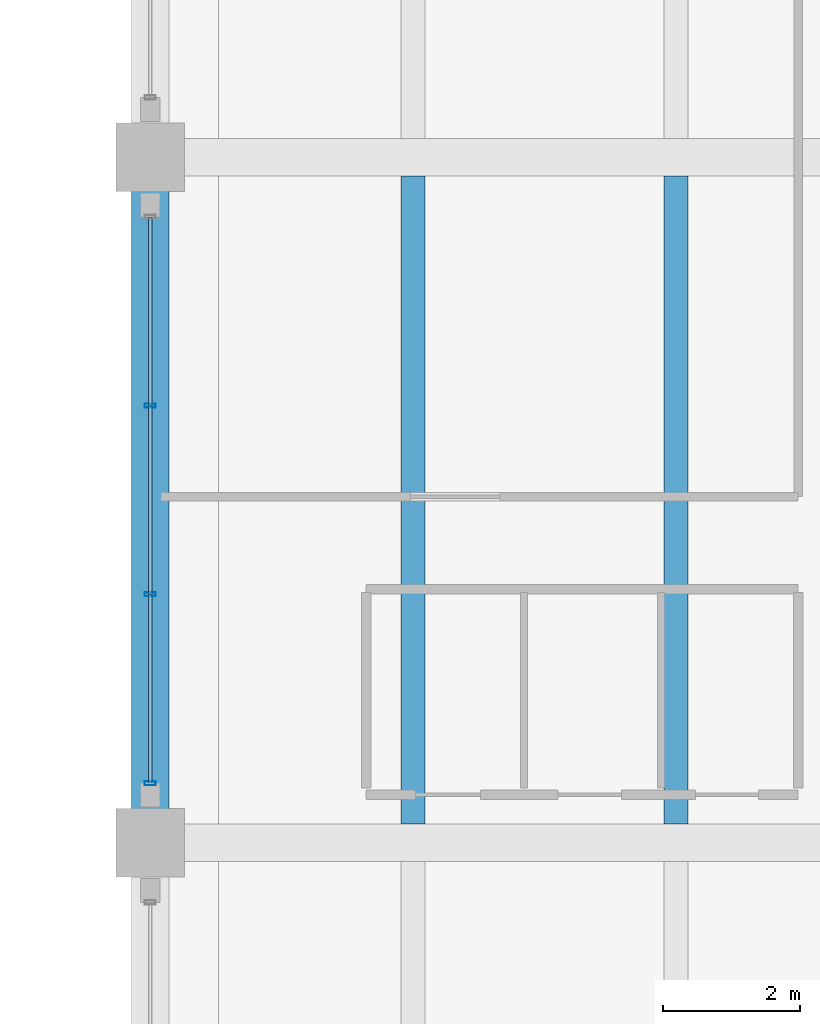
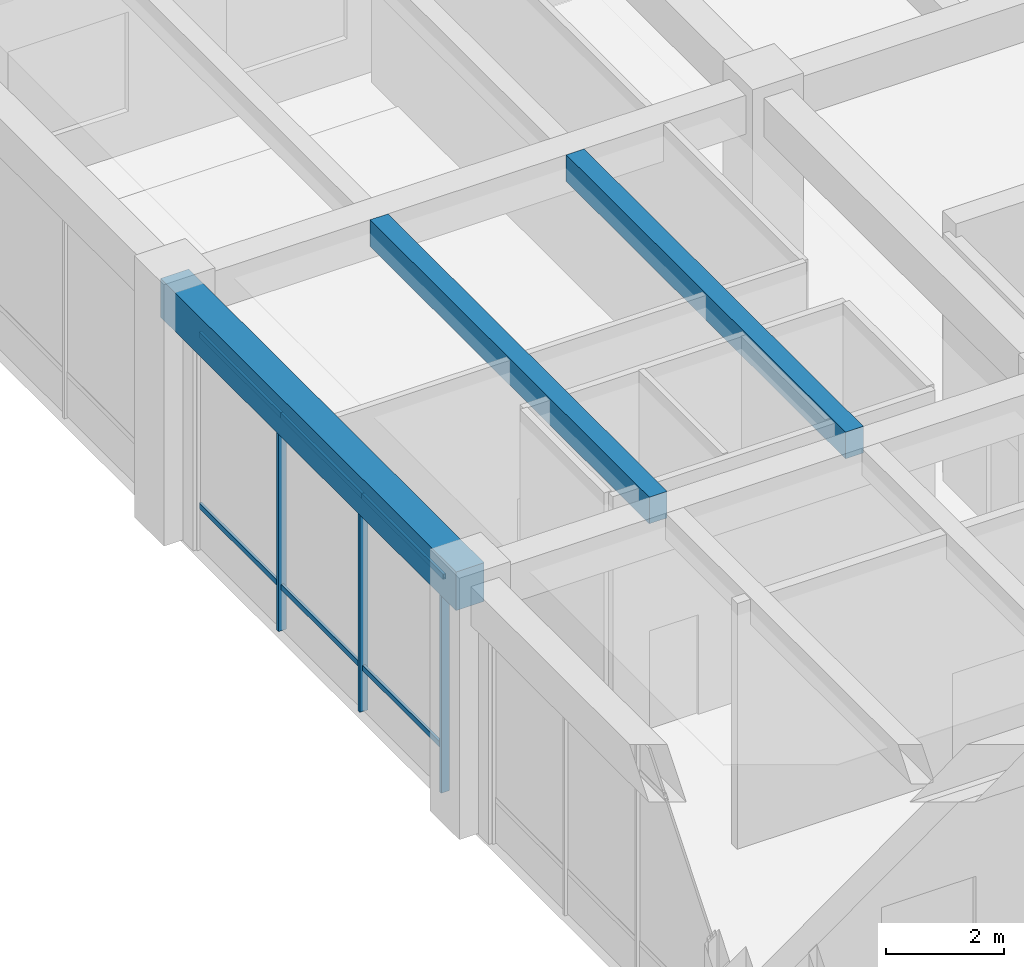
# One storey, part 78 of 148: 9 members, 3 beams, 1 element without a shape of its own.
"""IFC4 building model written with IfcOpenShell, lengths in metres."""

from ifc_helpers import new_model, si_unit, direction, frame, origin, origin_2d, place, context, subcontext, project, spatial, rectangle, hollow_rectangle, extrude, material, material_profile, profile_set, type_object, element, aggregate, save


model = new_model("IFC4")

# Units and contexts
model_context = context("Model", 3, precision=1e-05, world=origin(), true_north=direction((0.0, 1.0)))
body_context = subcontext(model_context, "Body", "Model", "MODEL_VIEW")
ifc_project = project(units=[si_unit("LENGTHUNIT", "METRE"), si_unit("AREAUNIT", "SQUARE_METRE"), si_unit("VOLUMEUNIT", "CUBIC_METRE"), si_unit("PLANEANGLEUNIT", "RADIAN"), si_unit("MASSUNIT", "GRAM", prefix="KILO")], contexts=[model_context])

# Site, building, storey
site_placement = place(None, origin())
site = spatial("IfcSite", under=ifc_project, at=site_placement, CompositionType="ELEMENT")
building_placement = place(site_placement, origin())
building = spatial("IfcBuilding", under=site, at=building_placement, Name="Ologun Quay Terminus", CompositionType="ELEMENT")
storey_placement = place(building_placement, frame((0.0, 0.0, 8.39990234375)))
storey = spatial("IfcBuildingStorey", under=building, at=storey_placement, Name="L02", CompositionType="ELEMENT", Elevation=8.39990234375)

# Curtain wall, members
ifc_material_1 = material(Name="Aluminium 6063-T6", Category="aluminium")
curtain_wall_type = type_object("IfcCurtainWallType", Name="Rain-Garden East Courtyard Curtain Wall L02 9200x5000", PredefinedType="USERDEFINED", material=ifc_material_1)
curtain_wall_placement = place(storey_placement, origin())
curtain_wall = element("IfcCurtainWall", 1, at=curtain_wall_placement, inside=storey, type_object=curtain_wall_type, Name="CW-19 Curtain Wall CW-L02-136", ObjectType="UNITISED CURTAIN WALL", PredefinedType="USERDEFINED")
ifc_material_2 = material(Name="Aluminium 6063-T6", Category="aluminium")
ifc_material_profile_1 = material_profile(ifc_material_2, hollow_rectangle(XDim=0.06005859375, YDim=0.159912109375, WallThickness=0.00390625, at=origin_2d()), Name="ALU 160x60x4")
ifc_profile_set_1 = profile_set([ifc_material_profile_1], Name="Aluminium 6063-T6")
member_type_1 = type_object("IfcMemberType", Name="Courtyard Screen Mullion 160x65", PredefinedType="MULLION", material=ifc_profile_set_1)
member_1_placement = place(storey_placement, frame((115.0, 95.669921875, 0.0), z_axis=(0.0, 0.0, 1.0), x_axis=(0.0, 1.0, 0.0)))
member_1 = element("IfcMember", 2, at=member_1_placement, type_object=member_type_1, Name="CW-L02-136 Mullion 1", PredefinedType="MULLION", context=body_context, shape_type="SweptSolid", body=[
    extrude(hollow_rectangle(XDim=0.06005859375, YDim=0.159912109375, WallThickness=0.00390625, at=origin_2d()), origin(), (0.0, 0.0, 1.0), 5.130126953125),
])
member_2_placement = place(storey_placement, frame((115.0, 98.42333984375, 0.0), z_axis=(0.0, 0.0, 1.0), x_axis=(0.0, 1.0, 0.0)))
member_2 = element("IfcMember", 3, at=member_2_placement, type_object=member_type_1, Name="CW-L02-136 Mullion 2", PredefinedType="MULLION", context=body_context, shape_type="SweptSolid", body=[
    extrude(hollow_rectangle(XDim=0.06005859375, YDim=0.159912109375, WallThickness=0.00390625, at=origin_2d()), origin(), (0.0, 0.0, 1.0), 5.130126953125),
])
member_3_placement = place(storey_placement, frame((115.0, 101.1767578125, 0.0), z_axis=(0.0, 0.0, 1.0), x_axis=(0.0, 1.0, 0.0)))
member_3 = element("IfcMember", 4, at=member_3_placement, type_object=member_type_1, Name="CW-L02-136 Mullion 3", PredefinedType="MULLION", context=body_context, shape_type="SweptSolid", body=[
    extrude(hollow_rectangle(XDim=0.06005859375, YDim=0.159912109375, WallThickness=0.00390625, at=origin_2d()), origin(), (0.0, 0.0, 1.0), 5.130126953125),
])
ifc_material_3 = material(Name="Aluminium 6063-T6", Category="aluminium")
ifc_material_profile_2 = material_profile(ifc_material_3, hollow_rectangle(XDim=0.054931640625, YDim=0.110107421875, WallThickness=0.00390625, at=origin_2d()), Name="ALU 110x55x4")
ifc_profile_set_2 = profile_set([ifc_material_profile_2], Name="Aluminium 6063-T6")
member_type_2 = type_object("IfcMemberType", Name="Courtyard Screen Transom 110x55", PredefinedType="USERDEFINED", material=ifc_profile_set_2)
member_4_placement = place(storey_placement, frame((115.0, 95.669921875, 0.900146484375), z_axis=(0.0, 1.0, 0.0), x_axis=(-1.0, 0.0, 0.0)))
member_4 = element("IfcMember", 5, at=member_4_placement, type_object=member_type_2, Name="CW-L02-136 Transom B1-1", ObjectType="TRANSOM", PredefinedType="USERDEFINED", context=body_context, shape_type="SweptSolid", body=[
    extrude(hollow_rectangle(XDim=0.054931640625, YDim=0.110107421875, WallThickness=0.00390625, at=origin_2d()), origin(), (0.0, 0.0, 1.0), 2.75341796875),
])
member_5_placement = place(storey_placement, frame((115.0, 95.669921875, 4.43017578125), z_axis=(0.0, 1.0, 0.0), x_axis=(-1.0, 0.0, 0.0)))
member_5 = element("IfcMember", 6, at=member_5_placement, type_object=member_type_2, Name="CW-L02-136 Transom B1-2", ObjectType="TRANSOM", PredefinedType="USERDEFINED", context=body_context, shape_type="SweptSolid", body=[
    extrude(hollow_rectangle(XDim=0.054931640625, YDim=0.110107421875, WallThickness=0.00390625, at=origin_2d()), origin(), (0.0, 0.0, 1.0), 2.75341796875),
])
member_6_placement = place(storey_placement, frame((115.0, 98.42333984375, 0.900146484375), z_axis=(0.0, 1.0, 0.0), x_axis=(-1.0, 0.0, 0.0)))
member_6 = element("IfcMember", 7, at=member_6_placement, type_object=member_type_2, Name="CW-L02-136 Transom B2-1", ObjectType="TRANSOM", PredefinedType="USERDEFINED", context=body_context, shape_type="SweptSolid", body=[
    extrude(hollow_rectangle(XDim=0.054931640625, YDim=0.110107421875, WallThickness=0.00390625, at=origin_2d()), origin(), (0.0, 0.0, 1.0), 2.75341796875),
])
member_7_placement = place(storey_placement, frame((115.0, 98.42333984375, 4.43017578125), z_axis=(0.0, 1.0, 0.0), x_axis=(-1.0, 0.0, 0.0)))
member_7 = element("IfcMember", 8, at=member_7_placement, type_object=member_type_2, Name="CW-L02-136 Transom B2-2", ObjectType="TRANSOM", PredefinedType="USERDEFINED", context=body_context, shape_type="SweptSolid", body=[
    extrude(hollow_rectangle(XDim=0.054931640625, YDim=0.110107421875, WallThickness=0.00390625, at=origin_2d()), origin(), (0.0, 0.0, 1.0), 2.75341796875),
])
member_8_placement = place(storey_placement, frame((115.0, 101.1767578125, 0.900146484375), z_axis=(0.0, 1.0, 0.0), x_axis=(-1.0, 0.0, 0.0)))
member_8 = element("IfcMember", 9, at=member_8_placement, type_object=member_type_2, Name="CW-L02-136 Transom B3-1", ObjectType="TRANSOM", PredefinedType="USERDEFINED", context=body_context, shape_type="SweptSolid", body=[
    extrude(hollow_rectangle(XDim=0.054931640625, YDim=0.110107421875, WallThickness=0.00390625, at=origin_2d()), origin(), (0.0, 0.0, 1.0), 2.753173828125),
])
member_9_placement = place(storey_placement, frame((115.0, 101.1767578125, 4.43017578125), z_axis=(0.0, 1.0, 0.0), x_axis=(-1.0, 0.0, 0.0)))
member_9 = element("IfcMember", 10, at=member_9_placement, type_object=member_type_2, Name="CW-L02-136 Transom B3-2", ObjectType="TRANSOM", PredefinedType="USERDEFINED", context=body_context, shape_type="SweptSolid", body=[
    extrude(hollow_rectangle(XDim=0.054931640625, YDim=0.110107421875, WallThickness=0.00390625, at=origin_2d()), origin(), (0.0, 0.0, 1.0), 2.753173828125),
])
aggregate(curtain_wall, [member_1, member_2, member_3, member_4, member_5, member_6, member_7, member_8, member_9])

# Beams
ifc_material_4 = material(Name="Concrete C40/50", Category="concrete")
ifc_material_profile_3 = material_profile(ifc_material_4, rectangle(XDim=0.550048828125, YDim=0.800048828125, at=origin_2d()), Name="RC 550x800")
ifc_profile_set_3 = profile_set([ifc_material_profile_3], Name="Concrete C40/50")
beam_type_1 = type_object("IfcBeamType", Name="Courtyard Wing Primary Girder 550x800", PredefinedType="BEAM", material=ifc_profile_set_3)
beam_placement = place(storey_placement, frame((115.0, 94.800048828125, 4.75), z_axis=(0.0, 1.0, 0.0), x_axis=(-1.0, 0.0, 0.0)))
element("IfcBeam", 11, at=beam_placement, inside=storey, type_object=beam_type_1, Name="B4 Beam 11/H L02", PredefinedType="BEAM", context=body_context, shape_type="SweptSolid", body=[
    extrude(rectangle(XDim=0.550048828125, YDim=0.800048828125, at=origin_2d()), origin(), (0.0, 0.0, 1.0), 10.0),
])
ifc_material_5 = material(Name="Concrete C40/50", Category="concrete")
ifc_material_profile_4 = material_profile(ifc_material_5, rectangle(XDim=0.35009765625, YDim=0.550048828125, at=origin_2d()), Name="RC 350x550")
ifc_profile_set_4 = profile_set([ifc_material_profile_4], Name="Concrete C40/50")
beam_type_2 = type_object("IfcBeamType", Name="Courtyard Wing Secondary Joist 350x550", PredefinedType="JOIST", material=ifc_profile_set_4)
for number, where, z_axis, x_axis, name in (
    (12, (118.833251953125, 95.074951171875, 4.875), (0.0, 1.0, 0.0), (-1.0, 0.0, 0.0), "J2 Beam 11/H L02"),
    (13, (122.666748046875, 95.074951171875, 4.875), (0.0, 1.0, 0.0), (-1.0, 0.0, 0.0), "J2 Beam 11/H L02"),
):
    element("IfcBeam", number, at=place(storey_placement, frame(where, z_axis=z_axis, x_axis=x_axis)), inside=storey, type_object=beam_type_2, Name=name, PredefinedType="JOIST", context=body_context, shape_type="SweptSolid", body=[
        extrude(rectangle(XDim=0.35009765625, YDim=0.550048828125, at=origin_2d()), origin(), (0.0, 0.0, 1.0), 9.449951171875),
    ])

save(model, "model.ifc")
